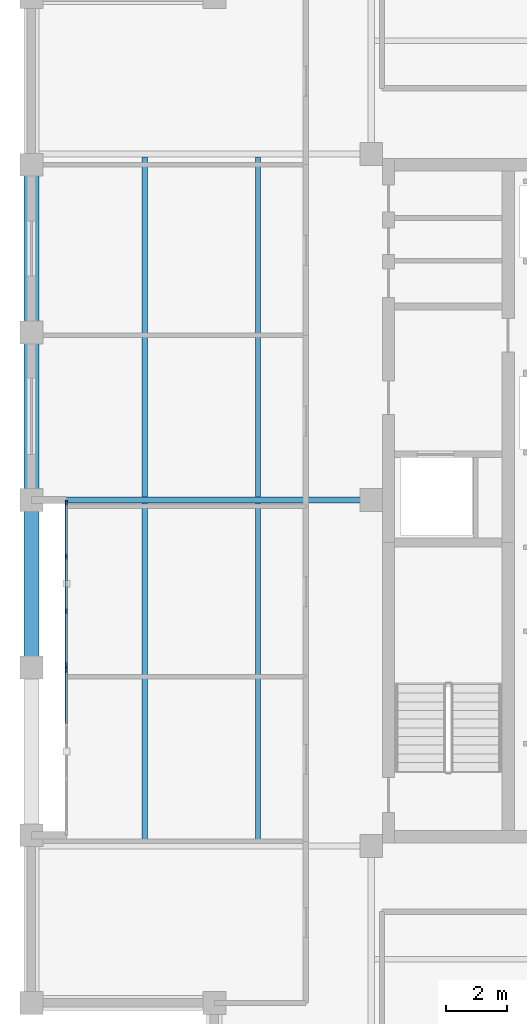
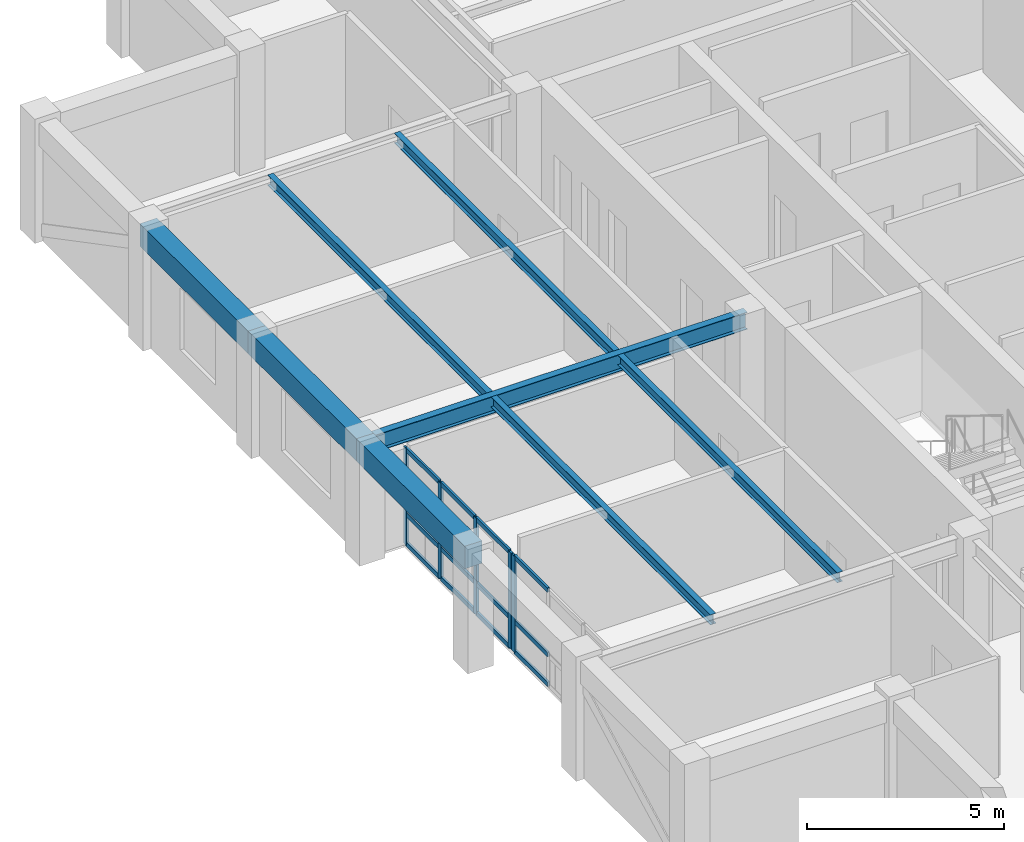
# One storey, part 4 of 10: 17 members, 8 beams, 2 elements without a shape of their own.
"""IFC4 building model written with IfcOpenShell, lengths in metres."""

from ifc_helpers import new_model, si_unit, direction, frame, origin, origin_2d, place, context, subcontext, project, spatial, rectangle, i_section, extrude, material, layer, layer_set, material_profile, profile_set, type_object, element, aggregate, save


model = new_model("IFC4")

# Units and contexts
model_context = context("Model", 3, precision=1e-05, world=origin(), true_north=direction((0.0, 1.0)))
body_context = subcontext(model_context, "Body", "Model", "MODEL_VIEW")
ifc_project = project(units=[si_unit("LENGTHUNIT", "METRE"), si_unit("AREAUNIT", "SQUARE_METRE"), si_unit("VOLUMEUNIT", "CUBIC_METRE"), si_unit("PLANEANGLEUNIT", "RADIAN"), si_unit("MASSUNIT", "GRAM", prefix="KILO")], contexts=[model_context])

# Site, building, storey
site_placement = place(None, origin())
site = spatial("IfcSite", under=ifc_project, at=site_placement, CompositionType="ELEMENT")
building_placement = place(site_placement, origin())
building = spatial("IfcBuilding", under=site, at=building_placement, Name="Nhamokura Convention Tower", CompositionType="ELEMENT")
storey_placement = place(building_placement, frame((0.0, 0.0, 296.800048828125)))
storey = spatial("IfcBuildingStorey", under=building, at=storey_placement, Name="L73", CompositionType="ELEMENT", Elevation=296.800048828125)

# Curtain wall, member
ifc_material_1 = material(Name="Anodised bronze aluminium AA6063-T6", Category="aluminium")
ifc_layer = layer(ifc_material_1, 0.155029296875)
ifc_layer_set = layer_set([ifc_layer], Name="CWSystem_ScaleSlot_Zone3")
curtain_wall_type = type_object("IfcCurtainWallType", Name="CWSystem_ScaleSlot_Zone3", PredefinedType="NOTDEFINED", material=ifc_layer_set)
curtain_wall_1_placement = place(storey_placement, origin())
curtain_wall_1 = element("IfcCurtainWall", 1, at=curtain_wall_1_placement, inside=storey, type_object=curtain_wall_type, Name="L73 Curtain Wall ENV-L73-SLOT-W1", PredefinedType="NOTDEFINED")
ifc_material_2 = material(Name="Anodised bronze aluminium AA6063-T6", Category="aluminium")
ifc_material_profile_1 = material_profile(ifc_material_2, rectangle(XDim=0.06494140625, YDim=0.1650390625, at=origin_2d()))
ifc_profile_set_1 = profile_set([ifc_material_profile_1], Name="Anodised bronze aluminium AA6063-T6")
member_type_1 = type_object("IfcMemberType", Name="CWMullion_3", PredefinedType="MULLION", material=ifc_profile_set_1)
member_1_placement = place(storey_placement, frame((10.64990234375, 26.407470703125, 0.0), z_axis=(0.0, 0.0, 1.0), x_axis=(-1.0, 0.0, 0.0)))
member_1 = element("IfcMember", 2, at=member_1_placement, type_object=member_type_1, Name="CW-05 mullion 4", PredefinedType="MULLION", context=body_context, shape_type="SweptSolid", body=[
    extrude(rectangle(XDim=0.06494140625, YDim=0.1650390625, at=origin_2d()), origin(), (0.0, 0.0, 1.0), 2.98486328125),
])

# Curtain wall, members
curtain_wall_2_placement = place(storey_placement, origin())
curtain_wall_2 = element("IfcCurtainWall", 3, at=curtain_wall_2_placement, inside=storey, type_object=curtain_wall_type, Name="L73 Curtain Wall ENV-L73-SLOT-W2", PredefinedType="NOTDEFINED")
member_2_placement = place(storey_placement, frame((10.64990234375, 26.592529296875, 0.0), z_axis=(0.0, 0.0, 1.0), x_axis=(-1.0, 0.0, 0.0)))
member_2 = element("IfcMember", 4, at=member_2_placement, type_object=member_type_1, Name="CW-05 mullion 1", PredefinedType="MULLION", context=body_context, shape_type="SweptSolid", body=[
    extrude(rectangle(XDim=0.06494140625, YDim=0.1650390625, at=origin_2d()), origin(), (0.0, 0.0, 1.0), 2.98486328125),
])
member_3_placement = place(storey_placement, frame((10.64990234375, 28.353271484375, 0.0), z_axis=(0.0, 0.0, 1.0), x_axis=(-1.0, 0.0, 0.0)))
member_3 = element("IfcMember", 5, at=member_3_placement, type_object=member_type_1, Name="CW-05 mullion 2", PredefinedType="MULLION", context=body_context, shape_type="SweptSolid", body=[
    extrude(rectangle(XDim=0.06494140625, YDim=0.1650390625, at=origin_2d()), origin(), (0.0, 0.0, 1.0), 2.98486328125),
])
member_4_placement = place(storey_placement, frame((10.64990234375, 30.146728515625, 0.0), z_axis=(0.0, 0.0, 1.0), x_axis=(-1.0, 0.0, 0.0)))
member_4 = element("IfcMember", 6, at=member_4_placement, type_object=member_type_1, Name="CW-05 mullion 3", PredefinedType="MULLION", context=body_context, shape_type="SweptSolid", body=[
    extrude(rectangle(XDim=0.06494140625, YDim=0.1650390625, at=origin_2d()), origin(), (0.0, 0.0, 1.0), 2.98486328125),
])
member_5_placement = place(storey_placement, frame((10.64990234375, 31.907470703125, 0.0), z_axis=(0.0, 0.0, 1.0), x_axis=(-1.0, 0.0, 0.0)))
member_5 = element("IfcMember", 7, at=member_5_placement, type_object=member_type_1, Name="CW-05 mullion 4", PredefinedType="MULLION", context=body_context, shape_type="SweptSolid", body=[
    extrude(rectangle(XDim=0.06494140625, YDim=0.1650390625, at=origin_2d()), origin(), (0.0, 0.0, 1.0), 2.98486328125),
])

# Member
ifc_material_3 = material(Name="Anodised bronze aluminium AA6063-T6", Category="aluminium")
ifc_material_profile_2 = material_profile(ifc_material_3, rectangle(XDim=0.06494140625, YDim=0.139892578125, at=origin_2d()))
ifc_profile_set_2 = profile_set([ifc_material_profile_2], Name="Anodised bronze aluminium AA6063-T6")
member_type_2 = type_object("IfcMemberType", Name="CWTransom_3", PredefinedType="USERDEFINED", material=ifc_profile_set_2)
member_6_placement = place(storey_placement, frame((10.64990234375, 24.67919921875, 0.032470703125), z_axis=(0.0, 1.0, 0.0), x_axis=(-1.0, 0.0, 0.0)))
member_6 = element("IfcMember", 8, at=member_6_placement, type_object=member_type_2, Name="CW-05 transom 3.1", ObjectType="TRANSOM", PredefinedType="USERDEFINED", context=body_context, shape_type="SweptSolid", body=[
    extrude(rectangle(XDim=0.06494140625, YDim=0.139892578125, at=origin_2d()), origin(), (0.0, 0.0, 1.0), 1.69580078125),
])

member_7_placement = place(storey_placement, frame((10.64990234375, 24.67919921875, 0.949951171875), z_axis=(0.0, 1.0, 0.0), x_axis=(-1.0, 0.0, 0.0)))
member_7 = element("IfcMember", 9, at=member_7_placement, type_object=member_type_2, Name="CW-05 transom 3.2", ObjectType="TRANSOM", PredefinedType="USERDEFINED", context=body_context, shape_type="SweptSolid", body=[
    extrude(rectangle(XDim=0.06494140625, YDim=0.139892578125, at=origin_2d()), origin(), (0.0, 0.0, 1.0), 1.69580078125),
])

member_8_placement = place(storey_placement, frame((10.64990234375, 24.67919921875, 2.952392578125), z_axis=(0.0, 1.0, 0.0), x_axis=(-1.0, 0.0, 0.0)))
member_8 = element("IfcMember", 10, at=member_8_placement, type_object=member_type_2, Name="CW-05 transom 3.3", ObjectType="TRANSOM", PredefinedType="USERDEFINED", context=body_context, shape_type="SweptSolid", body=[
    extrude(rectangle(XDim=0.06494140625, YDim=0.139892578125, at=origin_2d()), origin(), (0.0, 0.0, 1.0), 1.69580078125),
])

aggregate(curtain_wall_1, [member_1, member_6, member_7, member_8])

member_9_placement = place(storey_placement, frame((10.64990234375, 26.625, 0.032470703125), z_axis=(0.0, 1.0, 0.0), x_axis=(-1.0, 0.0, 0.0)))
member_9 = element("IfcMember", 11, at=member_9_placement, type_object=member_type_2, Name="CW-05 transom 1.1", ObjectType="TRANSOM", PredefinedType="USERDEFINED", context=body_context, shape_type="SweptSolid", body=[
    extrude(rectangle(XDim=0.06494140625, YDim=0.139892578125, at=origin_2d()), origin(), (0.0, 0.0, 1.0), 1.69580078125),
])

member_10_placement = place(storey_placement, frame((10.64990234375, 26.625, 0.949951171875), z_axis=(0.0, 1.0, 0.0), x_axis=(-1.0, 0.0, 0.0)))
member_10 = element("IfcMember", 12, at=member_10_placement, type_object=member_type_2, Name="CW-05 transom 1.2", ObjectType="TRANSOM", PredefinedType="USERDEFINED", context=body_context, shape_type="SweptSolid", body=[
    extrude(rectangle(XDim=0.06494140625, YDim=0.139892578125, at=origin_2d()), origin(), (0.0, 0.0, 1.0), 1.69580078125),
])

member_11_placement = place(storey_placement, frame((10.64990234375, 26.625, 2.952392578125), z_axis=(0.0, 1.0, 0.0), x_axis=(-1.0, 0.0, 0.0)))
member_11 = element("IfcMember", 13, at=member_11_placement, type_object=member_type_2, Name="CW-05 transom 1.3", ObjectType="TRANSOM", PredefinedType="USERDEFINED", context=body_context, shape_type="SweptSolid", body=[
    extrude(rectangle(XDim=0.06494140625, YDim=0.139892578125, at=origin_2d()), origin(), (0.0, 0.0, 1.0), 1.69580078125),
])

member_12_placement = place(storey_placement, frame((10.64990234375, 28.3857421875, 0.032470703125), z_axis=(0.0, 1.0, 0.0), x_axis=(-1.0, 0.0, 0.0)))
member_12 = element("IfcMember", 14, at=member_12_placement, type_object=member_type_2, Name="CW-05 transom 2.1", ObjectType="TRANSOM", PredefinedType="USERDEFINED", context=body_context, shape_type="SweptSolid", body=[
    extrude(rectangle(XDim=0.06494140625, YDim=0.139892578125, at=origin_2d()), origin(), (0.0, 0.0, 1.0), 1.728515625),
])

member_13_placement = place(storey_placement, frame((10.64990234375, 28.3857421875, 0.949951171875), z_axis=(0.0, 1.0, 0.0), x_axis=(-1.0, 0.0, 0.0)))
member_13 = element("IfcMember", 15, at=member_13_placement, type_object=member_type_2, Name="CW-05 transom 2.2", ObjectType="TRANSOM", PredefinedType="USERDEFINED", context=body_context, shape_type="SweptSolid", body=[
    extrude(rectangle(XDim=0.06494140625, YDim=0.139892578125, at=origin_2d()), origin(), (0.0, 0.0, 1.0), 1.728515625),
])

member_14_placement = place(storey_placement, frame((10.64990234375, 28.3857421875, 2.952392578125), z_axis=(0.0, 1.0, 0.0), x_axis=(-1.0, 0.0, 0.0)))
member_14 = element("IfcMember", 16, at=member_14_placement, type_object=member_type_2, Name="CW-05 transom 2.3", ObjectType="TRANSOM", PredefinedType="USERDEFINED", context=body_context, shape_type="SweptSolid", body=[
    extrude(rectangle(XDim=0.06494140625, YDim=0.139892578125, at=origin_2d()), origin(), (0.0, 0.0, 1.0), 1.728515625),
])

member_15_placement = place(storey_placement, frame((10.64990234375, 30.17919921875, 0.032470703125), z_axis=(0.0, 1.0, 0.0), x_axis=(-1.0, 0.0, 0.0)))
member_15 = element("IfcMember", 17, at=member_15_placement, type_object=member_type_2, Name="CW-05 transom 3.1", ObjectType="TRANSOM", PredefinedType="USERDEFINED", context=body_context, shape_type="SweptSolid", body=[
    extrude(rectangle(XDim=0.06494140625, YDim=0.139892578125, at=origin_2d()), origin(), (0.0, 0.0, 1.0), 1.69580078125),
])

member_16_placement = place(storey_placement, frame((10.64990234375, 30.17919921875, 0.949951171875), z_axis=(0.0, 1.0, 0.0), x_axis=(-1.0, 0.0, 0.0)))
member_16 = element("IfcMember", 18, at=member_16_placement, type_object=member_type_2, Name="CW-05 transom 3.2", ObjectType="TRANSOM", PredefinedType="USERDEFINED", context=body_context, shape_type="SweptSolid", body=[
    extrude(rectangle(XDim=0.06494140625, YDim=0.139892578125, at=origin_2d()), origin(), (0.0, 0.0, 1.0), 1.69580078125),
])

member_17_placement = place(storey_placement, frame((10.64990234375, 30.17919921875, 2.952392578125), z_axis=(0.0, 1.0, 0.0), x_axis=(-1.0, 0.0, 0.0)))
member_17 = element("IfcMember", 19, at=member_17_placement, type_object=member_type_2, Name="CW-05 transom 3.3", ObjectType="TRANSOM", PredefinedType="USERDEFINED", context=body_context, shape_type="SweptSolid", body=[
    extrude(rectangle(XDim=0.06494140625, YDim=0.139892578125, at=origin_2d()), origin(), (0.0, 0.0, 1.0), 1.69580078125),
])

aggregate(curtain_wall_2, [member_2, member_3, member_4, member_5, member_9, member_10, member_11, member_12, member_13, member_14, member_15, member_16, member_17])

# Beams
ifc_material_4 = material(Name="Steel ASTM A992 Gr 50", Category="steel")
ifc_material_profile_3 = material_profile(ifc_material_4, i_section(OverallWidth=0.166015625, OverallDepth=0.31298828125, WebThickness=0.006591796875, FlangeThickness=0.01123046875, at=origin_2d()))
ifc_profile_set_3 = profile_set([ifc_material_profile_3], Name="Steel ASTM A992 Gr 50")
beam_type_1 = type_object("IfcBeamType", Name="FloorJoist_W310X45", PredefinedType="JOIST", material=ifc_profile_set_3)
for number, where, z_axis, x_axis, name in (
    (20, (13.216796875, 20.75244140625, 3.528564453125), (0.0, 1.0, 0.0), (-1.0, 0.0, 0.0), "L73 Composite Floor Joist W1A"),
    (21, (13.216796875, 32.1025390625, 3.528564453125), (0.0, 1.0, 0.0), (-1.0, 0.0, 0.0), "L73 Composite Floor Joist W1B"),
    (22, (16.933349609375, 20.75244140625, 3.528564453125), (0.0, 1.0, 0.0), (-1.0, 0.0, 0.0), "L73 Composite Floor Joist W2A"),
    (23, (16.933349609375, 32.1025390625, 3.528564453125), (0.0, 1.0, 0.0), (-1.0, 0.0, 0.0), "L73 Composite Floor Joist W2B"),
):
    element("IfcBeam", number, at=place(storey_placement, frame(where, z_axis=z_axis, x_axis=x_axis)), inside=storey, type_object=beam_type_1, Name=name, PredefinedType="JOIST", context=body_context, shape_type="SweptSolid", body=[
        extrude(i_section(OverallWidth=0.166015625, OverallDepth=0.31298828125, WebThickness=0.006591796875, FlangeThickness=0.01123046875, at=origin_2d()), origin(), (0.0, 0.0, 1.0), 11.14501953125),
    ])
ifc_material_5 = material(Name="Steel ASTM A992 Gr 50", Category="steel")
ifc_material_profile_4 = material_profile(ifc_material_5, i_section(OverallWidth=0.208984375, OverallDepth=0.532958984375, WebThickness=0.01025390625, FlangeThickness=0.015625, at=origin_2d()))
ifc_profile_set_4 = profile_set([ifc_material_profile_4], Name="Steel ASTM A992 Gr 50")
beam_type_2 = type_object("IfcBeamType", Name="PrimaryGirder_W530X92", PredefinedType="BEAM", material=ifc_profile_set_4)
beam_placement = place(storey_placement, frame((9.5, 32.0, 3.41845703125), z_axis=(1.0, 0.0, 0.0), x_axis=(0.0, 1.0, 0.0)))
element("IfcBeam", 24, at=beam_placement, inside=storey, type_object=beam_type_2, Name="L73 Primary Floor Girder PG-W2", PredefinedType="BEAM", context=body_context, shape_type="SweptSolid", body=[
    extrude(i_section(OverallWidth=0.208984375, OverallDepth=0.532958984375, WebThickness=0.01025390625, FlangeThickness=0.015625, at=origin_2d()), origin(), (0.0, 0.0, 1.0), 11.14990234375),
])
ifc_material_6 = material(Name="Concrete C50/60", Category="concrete")
ifc_material_profile_5 = material_profile(ifc_material_6, rectangle(XDim=0.5, YDim=0.699951171875, at=origin_2d()))
ifc_profile_set_5 = profile_set([ifc_material_profile_5], Name="Concrete C50/60")
beam_type_3 = type_object("IfcBeamType", Name="TubeSpandrel_700", PredefinedType="SPANDREL", material=ifc_profile_set_5)
for number, where, z_axis, x_axis, name in (
    (25, (9.5, 26.5, 3.3349609375), (0.0, 1.0, 0.0), (-1.0, 0.0, 0.0), "L73 Perimeter Spandrel WEST 3"),
    (26, (9.5, 32.0, 3.3349609375), (0.0, 1.0, 0.0), (-1.0, 0.0, 0.0), "L73 Perimeter Spandrel WEST 4"),
    (27, (9.5, 37.5, 3.3349609375), (0.0, 1.0, 0.0), (-1.0, 0.0, 0.0), "L73 Perimeter Spandrel WEST 5"),
):
    element("IfcBeam", number, at=place(storey_placement, frame(where, z_axis=z_axis, x_axis=x_axis)), inside=storey, type_object=beam_type_3, Name=name, PredefinedType="SPANDREL", context=body_context, shape_type="SweptSolid", body=[
        extrude(rectangle(XDim=0.5, YDim=0.699951171875, at=origin_2d()), origin(), (0.0, 0.0, 1.0), 5.5),
    ])

save(model, "model.ifc")
